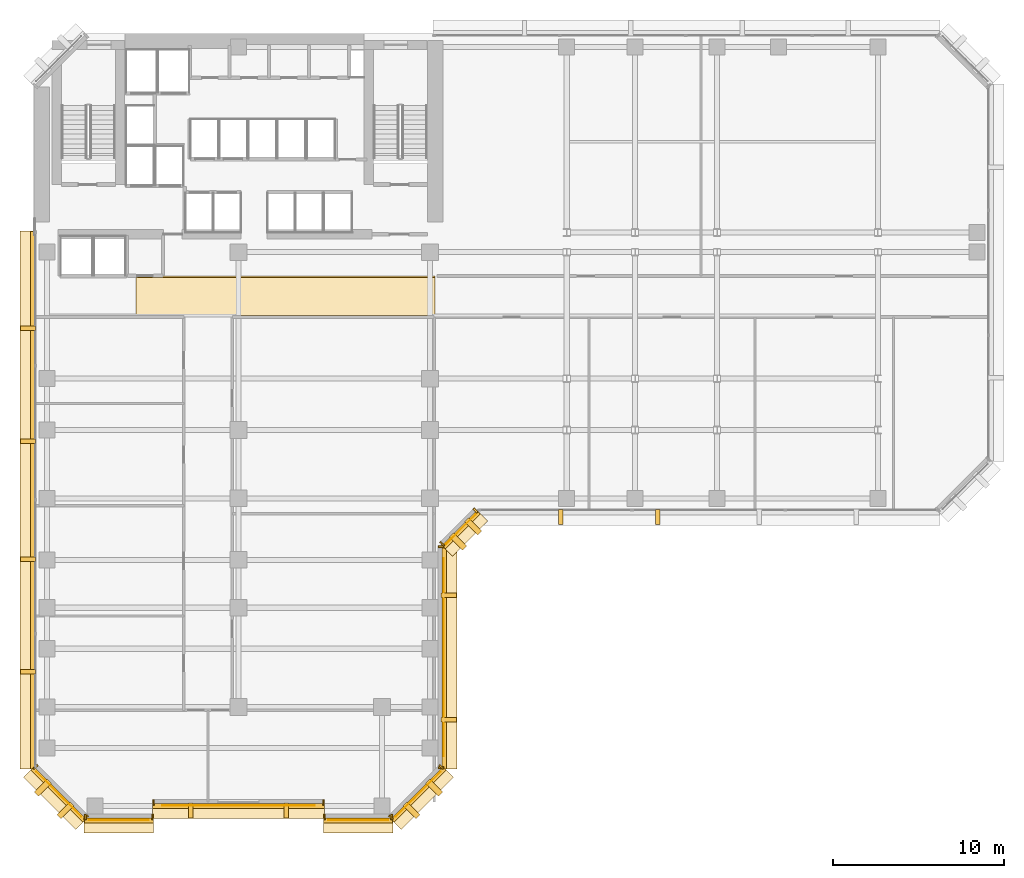
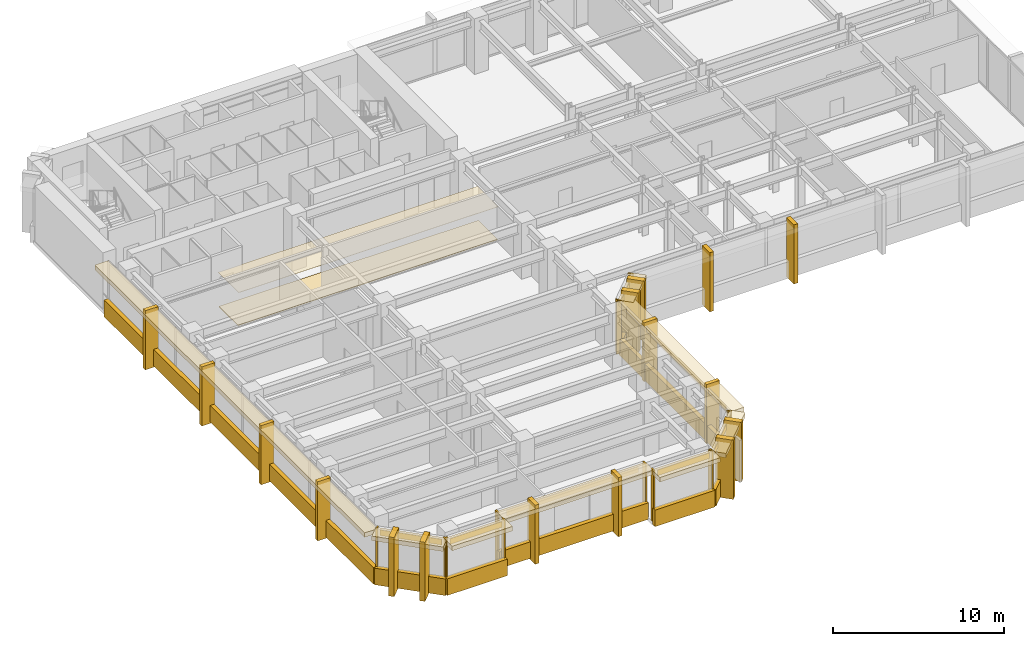
# One storey, part 9 of 13: 55 coverings.
"""IFC4 building model written with IfcOpenShell, lengths in metres."""

from ifc_helpers import new_model, si_unit, direction, frame, origin, origin_2d, place, context, subcontext, project, spatial, polyline, rectangle, outline, extrude, material, layer, layer_set, type_object, element, save


model = new_model("IFC4")

# Units and contexts
model_context = context("Model", 3, precision=1e-05, world=origin(), true_north=direction((0.0, 1.0)))
body_context = subcontext(model_context, "Body", "Model", "MODEL_VIEW")
ifc_project = project(units=[si_unit("LENGTHUNIT", "METRE"), si_unit("AREAUNIT", "SQUARE_METRE"), si_unit("VOLUMEUNIT", "CUBIC_METRE"), si_unit("PLANEANGLEUNIT", "RADIAN"), si_unit("MASSUNIT", "GRAM", prefix="KILO")], contexts=[model_context])

# Site, building, storey
site_placement = place(None, origin())
site = spatial("IfcSite", under=ifc_project, at=site_placement, CompositionType="ELEMENT")
building_placement = place(site_placement, origin())
building = spatial("IfcBuilding", under=site, at=building_placement, Name="Kefirva Bronze Tower", CompositionType="ELEMENT")
storey_placement = place(building_placement, frame((0.0, 0.0, 102.6298828125)))
storey = spatial("IfcBuildingStorey", under=building, at=storey_placement, Name="L24", CompositionType="ELEMENT", Elevation=102.6298828125)

# Coverings
ifc_material_1 = material(Name="Acoustic mineral tile")
ifc_layer_1 = layer(ifc_material_1, 0.02490234375, Name="Acoustic mineral tile")
ifc_layer_set_1 = layer_set([ifc_layer_1], Name="Acoustic mineral tile")
covering_type_1 = type_object("IfcCoveringType", Name="Acoustic Mineral Suspended Ceiling 25mm", PredefinedType="CEILING", material=ifc_layer_set_1)
covering_1_placement = place(storey_placement, frame((0.0, 0.0, 2.400146484375)))
element("IfcCovering", 1, at=covering_1_placement, inside=storey, type_object=covering_type_1, Name="L24 Corridor Acoustic Ceiling", PredefinedType="CEILING", context=body_context, shape_type="SweptSolid", body=[
    extrude(outline(polyline([(6.0, 29.39990234375), (23.5, 29.39990234375), (23.5, 31.800048828125), (6.0, 31.800048828125), (6.0, 29.39990234375)])), origin(), (0.0, 0.0, 1.0), 0.02490234375),
])
ifc_material_2 = material(Name="Bronze anodised aluminium", Category="aluminium")
ifc_layer_2 = layer(ifc_material_2, 0.02001953125, Name="Bronze anodised aluminium")
ifc_layer_set_2 = layer_set([ifc_layer_2], Name="Bronze anodised aluminium")
covering_type_2 = type_object("IfcCoveringType", Name="Anodised Bronze Spandrel Cladding 20mm", PredefinedType="CLADDING", material=ifc_layer_set_2)
covering_2_placement = place(storey_placement, frame((5.0, -0.010009765625, 3.290283203125), z_axis=(0.0, 0.0, 1.0), x_axis=(1.0, 0.0, 0.0)))
element("IfcCovering", 2, at=covering_2_placement, inside=storey, type_object=covering_type_2, Name="L24 Bronze Spandrel Cladding 1", PredefinedType="CLADDING", context=body_context, shape_type="SweptSolid", body=[
    extrude(rectangle(XDim=3.5009765625, YDim=0.02001953125, at=origin_2d()), origin(), (0.0, 0.0, 1.0), 0.39990234375),
])
for number, where, z_axis, x_axis, name in (
    (3, (3.034912109375, 0.159912109375, 0.000244140625), (0.0, 0.0, 1.0), (1.0, 0.0, 0.0), "L24 Facade Joint Closure Panel 1S"),
    (4, (6.965087890625, 0.159912109375, 0.000244140625), (0.0, 0.0, 1.0), (1.0, 0.0, 0.0), "L24 Facade Joint Closure Panel 1E"),
):
    element("IfcCovering", number, at=place(storey_placement, frame(where, z_axis=z_axis, x_axis=x_axis)), inside=storey, type_object=covering_type_2, Name=name, PredefinedType="CLADDING", context=body_context, shape_type="SweptSolid", body=[
        extrude(rectangle(XDim=0.10009765625, YDim=0.320068359375, at=origin_2d()), origin(), (0.0, 0.0, 1.0), 3.7099609375),
    ])
covering_3_placement = place(storey_placement, frame((5.0, -0.0400390625, -0.15966796875), z_axis=(0.0, 0.0, 1.0), x_axis=(1.0, 0.0, 0.0)))
element("IfcCovering", 5, at=covering_3_placement, inside=storey, type_object=covering_type_2, Name="L24 Streamline Horizontal Spandrel Band 0", PredefinedType="CLADDING", context=body_context, shape_type="SweptSolid", body=[
    extrude(rectangle(XDim=4.0400390625, YDim=0.280029296875, at=origin_2d()), origin(), (0.0, 0.0, 1.0), 1.179931640625),
])
covering_4_placement = place(storey_placement, frame((12.0, 0.840087890625, 3.290283203125), z_axis=(0.0, 0.0, 1.0), x_axis=(1.0, 0.0, 0.0)))
element("IfcCovering", 6, at=covering_4_placement, inside=storey, type_object=covering_type_2, Name="L24 Bronze Spandrel Cladding 2", PredefinedType="CLADDING", context=body_context, shape_type="SweptSolid", body=[
    extrude(rectangle(XDim=8.90087890625, YDim=0.02001953125, at=origin_2d()), origin(), (0.0, 0.0, 1.0), 0.39990234375),
])
for number, where, z_axis, x_axis, name in (
    (7, (7.034912109375, 1.010009765625, 0.000244140625), (0.0, 0.0, 1.0), (1.0, 0.0, 0.0), "L24 Facade Joint Closure Panel 2S"),
    (8, (16.965087890625, 1.010009765625, 0.000244140625), (0.0, 0.0, 1.0), (1.0, 0.0, 0.0), "L24 Facade Joint Closure Panel 2E"),
):
    element("IfcCovering", number, at=place(storey_placement, frame(where, z_axis=z_axis, x_axis=x_axis)), inside=storey, type_object=covering_type_2, Name=name, PredefinedType="CLADDING", context=body_context, shape_type="SweptSolid", body=[
        extrude(rectangle(XDim=0.10009765625, YDim=0.320068359375, at=origin_2d()), origin(), (0.0, 0.0, 1.0), 3.7099609375),
    ])
covering_5_placement = place(storey_placement, frame((12.0, 0.81005859375, -0.15966796875), z_axis=(0.0, 0.0, 1.0), x_axis=(1.0, 0.0, 0.0)))
element("IfcCovering", 9, at=covering_5_placement, inside=storey, type_object=covering_type_2, Name="L24 Streamline Horizontal Spandrel Band 2", PredefinedType="CLADDING", context=body_context, shape_type="SweptSolid", body=[
    extrude(rectangle(XDim=10.0400390625, YDim=0.280029296875, at=origin_2d()), origin(), (0.0, 0.0, 1.0), 1.179931640625),
])
covering_6_placement = place(storey_placement, frame((19.0, -0.010009765625, 3.290283203125), z_axis=(0.0, 0.0, 1.0), x_axis=(1.0, 0.0, 0.0)))
element("IfcCovering", 10, at=covering_6_placement, inside=storey, type_object=covering_type_2, Name="L24 Bronze Spandrel Cladding 3", PredefinedType="CLADDING", context=body_context, shape_type="SweptSolid", body=[
    extrude(rectangle(XDim=3.5009765625, YDim=0.02001953125, at=origin_2d()), origin(), (0.0, 0.0, 1.0), 0.39990234375),
])
for number, where, z_axis, x_axis, name in (
    (11, (17.034912109375, 0.159912109375, 0.000244140625), (0.0, 0.0, 1.0), (1.0, 0.0, 0.0), "L24 Facade Joint Closure Panel 3S"),
    (12, (20.965087890625, 0.159912109375, 0.000244140625), (0.0, 0.0, 1.0), (1.0, 0.0, 0.0), "L24 Facade Joint Closure Panel 3E"),
):
    element("IfcCovering", number, at=place(storey_placement, frame(where, z_axis=z_axis, x_axis=x_axis)), inside=storey, type_object=covering_type_2, Name=name, PredefinedType="CLADDING", context=body_context, shape_type="SweptSolid", body=[
        extrude(rectangle(XDim=0.10009765625, YDim=0.320068359375, at=origin_2d()), origin(), (0.0, 0.0, 1.0), 3.7099609375),
    ])
covering_7_placement = place(storey_placement, frame((19.0, -0.0400390625, -0.15966796875), z_axis=(0.0, 0.0, 1.0), x_axis=(1.0, 0.0, 0.0)))
element("IfcCovering", 13, at=covering_7_placement, inside=storey, type_object=covering_type_2, Name="L24 Streamline Horizontal Spandrel Band 4", PredefinedType="CLADDING", context=body_context, shape_type="SweptSolid", body=[
    extrude(rectangle(XDim=4.0400390625, YDim=0.280029296875, at=origin_2d()), origin(), (0.0, 0.0, 1.0), 1.179931640625),
])
covering_8_placement = place(storey_placement, frame((22.507080078125, 1.492919921875, 3.290283203125), z_axis=(0.0, 0.0, 1.0), x_axis=(0.707106781187, 0.707106781187, 0.0)))
element("IfcCovering", 14, at=covering_8_placement, inside=storey, type_object=covering_type_2, Name="L24 Bronze Spandrel Cladding 4", PredefinedType="CLADDING", context=body_context, shape_type="SweptSolid", body=[
    extrude(rectangle(XDim=3.719482421875, YDim=0.02001953125, at=origin_2d()), origin(), (0.0, 0.0, 1.0), 0.39990234375),
])
for number, where, z_axis, x_axis, name in (
    (15, (20.91162109375, 0.137939453125, 0.000244140625), (0.0, 0.0, 1.0), (0.707106781187, 0.707106781187, 0.0), "L24 Facade Joint Closure Panel 4S"),
    (16, (23.862060546875, 3.08837890625, 0.000244140625), (0.0, 0.0, 1.0), (0.707106781187, 0.707106781187, 0.0), "L24 Facade Joint Closure Panel 4E"),
):
    element("IfcCovering", number, at=place(storey_placement, frame(where, z_axis=z_axis, x_axis=x_axis)), inside=storey, type_object=covering_type_2, Name=name, PredefinedType="CLADDING", context=body_context, shape_type="SweptSolid", body=[
        extrude(rectangle(XDim=0.10009765625, YDim=0.320068359375, at=origin_2d()), origin(), (0.0, 0.0, 1.0), 3.7099609375),
    ])
covering_9_placement = place(storey_placement, frame((22.5283203125, 1.4716796875, -0.15966796875), z_axis=(0.0, 0.0, 1.0), x_axis=(0.707106781187, 0.707106781187, 0.0)))
element("IfcCovering", 17, at=covering_9_placement, inside=storey, type_object=covering_type_2, Name="L24 Streamline Horizontal Spandrel Band 5", PredefinedType="CLADDING", context=body_context, shape_type="SweptSolid", body=[
    extrude(rectangle(XDim=4.28271484375, YDim=0.280029296875, at=origin_2d()), origin(), (0.0, 0.0, 1.0), 1.179931640625),
])
covering_10_placement = place(storey_placement, frame((24.010009765625, 9.5, 3.290283203125), z_axis=(0.0, 0.0, 1.0), x_axis=(0.0, 1.0, 0.0)))
element("IfcCovering", 18, at=covering_10_placement, inside=storey, type_object=covering_type_2, Name="L24 Bronze Spandrel Cladding 5", PredefinedType="CLADDING", context=body_context, shape_type="SweptSolid", body=[
    extrude(rectangle(XDim=11.60107421875, YDim=0.02001953125, at=origin_2d()), origin(), (0.0, 0.0, 1.0), 0.39990234375),
])
for number, where, z_axis, x_axis, name in (
    (19, (23.840087890625, 3.034912109375, 0.000244140625), (0.0, 0.0, 1.0), (0.0, 1.0, 0.0), "L24 Facade Joint Closure Panel 5S"),
    (20, (23.840087890625, 15.965087890625, 0.000244140625), (0.0, 0.0, 1.0), (0.0, 1.0, 0.0), "L24 Facade Joint Closure Panel 5E"),
):
    element("IfcCovering", number, at=place(storey_placement, frame(where, z_axis=z_axis, x_axis=x_axis)), inside=storey, type_object=covering_type_2, Name=name, PredefinedType="CLADDING", context=body_context, shape_type="SweptSolid", body=[
        extrude(rectangle(XDim=0.10009765625, YDim=0.320068359375, at=origin_2d()), origin(), (0.0, 0.0, 1.0), 3.7099609375),
    ])
covering_11_placement = place(storey_placement, frame((24.0400390625, 9.5, -0.15966796875), z_axis=(0.0, 0.0, 1.0), x_axis=(0.0, 1.0, 0.0)))
element("IfcCovering", 21, at=covering_11_placement, inside=storey, type_object=covering_type_2, Name="L24 Streamline Horizontal Spandrel Band 6", PredefinedType="CLADDING", context=body_context, shape_type="SweptSolid", body=[
    extrude(rectangle(XDim=13.0400390625, YDim=0.280029296875, at=origin_2d()), origin(), (0.0, 0.0, 1.0), 1.179931640625),
])
covering_12_placement = place(storey_placement, frame((25.007080078125, 16.992919921875, 3.290283203125), z_axis=(0.0, 0.0, 1.0), x_axis=(0.707106781187, 0.707106781187, 0.0)))
element("IfcCovering", 22, at=covering_12_placement, inside=storey, type_object=covering_type_2, Name="L24 Bronze Spandrel Cladding 6", PredefinedType="CLADDING", context=body_context, shape_type="SweptSolid", body=[
    extrude(rectangle(XDim=2.446533203125, YDim=0.02001953125, at=origin_2d()), origin(), (0.0, 0.0, 1.0), 0.39990234375),
])
for number, where, z_axis, x_axis, name in (
    (23, (23.91162109375, 16.137939453125, 0.000244140625), (0.0, 0.0, 1.0), (0.707106781187, 0.707106781187, 0.0), "L24 Facade Joint Closure Panel 6S"),
    (24, (25.862060546875, 18.08837890625, 0.000244140625), (0.0, 0.0, 1.0), (0.707106781187, 0.707106781187, 0.0), "L24 Facade Joint Closure Panel 6E"),
):
    element("IfcCovering", number, at=place(storey_placement, frame(where, z_axis=z_axis, x_axis=x_axis)), inside=storey, type_object=covering_type_2, Name=name, PredefinedType="CLADDING", context=body_context, shape_type="SweptSolid", body=[
        extrude(rectangle(XDim=0.10009765625, YDim=0.320068359375, at=origin_2d()), origin(), (0.0, 0.0, 1.0), 3.7099609375),
    ])
covering_13_placement = place(storey_placement, frame((25.0283203125, 16.9716796875, -0.15966796875), z_axis=(0.0, 0.0, 1.0), x_axis=(0.707106781187, 0.707106781187, 0.0)))
element("IfcCovering", 25, at=covering_13_placement, inside=storey, type_object=covering_type_2, Name="L24 Streamline Horizontal Spandrel Band 7", PredefinedType="CLADDING", context=body_context, shape_type="SweptSolid", body=[
    extrude(rectangle(XDim=2.868408203125, YDim=0.280029296875, at=origin_2d()), origin(), (0.0, 0.0, 1.0), 1.179931640625),
])
covering_14_placement = place(storey_placement, frame((-0.0400390625, 18.697509765625, -0.15966796875), z_axis=(0.0, 0.0, 1.0), x_axis=(0.0, -1.0, 0.0)))
element("IfcCovering", 26, at=covering_14_placement, inside=storey, type_object=covering_type_2, Name="L24 Streamline Horizontal Spandrel Band 14", PredefinedType="CLADDING", context=body_context, shape_type="SweptSolid", body=[
    extrude(rectangle(XDim=31.43505859375, YDim=0.280029296875, at=origin_2d()), origin(), (0.0, 0.0, 1.0), 1.179931640625),
])
covering_15_placement = place(storey_placement, frame((1.492919921875, 1.492919921875, 3.290283203125), z_axis=(0.0, 0.0, 1.0), x_axis=(0.707106781187, -0.707106781187, 0.0)))
element("IfcCovering", 27, at=covering_15_placement, inside=storey, type_object=covering_type_2, Name="L24 Bronze Spandrel Cladding 10", PredefinedType="CLADDING", context=body_context, shape_type="SweptSolid", body=[
    extrude(rectangle(XDim=3.719482421875, YDim=0.02001953125, at=origin_2d()), origin(), (0.0, 0.0, 1.0), 0.39990234375),
])
for number, where, z_axis, x_axis, name in (
    (28, (0.137939453125, 3.08837890625, 0.000244140625), (0.0, 0.0, 1.0), (0.707106781187, -0.707106781187, 0.0), "L24 Facade Joint Closure Panel 10S"),
    (29, (3.08837890625, 0.137939453125, 0.000244140625), (0.0, 0.0, 1.0), (0.707106781187, -0.707106781187, 0.0), "L24 Facade Joint Closure Panel 10E"),
):
    element("IfcCovering", number, at=place(storey_placement, frame(where, z_axis=z_axis, x_axis=x_axis)), inside=storey, type_object=covering_type_2, Name=name, PredefinedType="CLADDING", context=body_context, shape_type="SweptSolid", body=[
        extrude(rectangle(XDim=0.10009765625, YDim=0.320068359375, at=origin_2d()), origin(), (0.0, 0.0, 1.0), 3.7099609375),
    ])
covering_16_placement = place(storey_placement, frame((1.4716796875, 1.4716796875, -0.15966796875), z_axis=(0.0, 0.0, 1.0), x_axis=(0.707106781187, -0.707106781187, 0.0)))
element("IfcCovering", 30, at=covering_16_placement, inside=storey, type_object=covering_type_2, Name="L24 Streamline Horizontal Spandrel Band 15", PredefinedType="CLADDING", context=body_context, shape_type="SweptSolid", body=[
    extrude(rectangle(XDim=4.28271484375, YDim=0.280029296875, at=origin_2d()), origin(), (0.0, 0.0, 1.0), 1.179931640625),
])
ifc_material_3 = material(Name="Calcium sulphate access tile")
ifc_layer_3 = layer(ifc_material_3, 0.044921875, Name="Calcium sulphate access tile")
ifc_layer_set_3 = layer_set([ifc_layer_3], Name="Calcium sulphate access tile")
covering_type_3 = type_object("IfcCoveringType", Name="Raised Access Office Flooring 45mm", PredefinedType="FLOORING", material=ifc_layer_set_3)
covering_17_placement = place(storey_placement, origin())
element("IfcCovering", 31, at=covering_17_placement, inside=storey, type_object=covering_type_3, Name="L24 Architectural Finish Flooring", PredefinedType="FLOORING", context=body_context, shape_type="SweptSolid", body=[
    extrude(outline(polyline([(6.0, 29.47998046875), (23.5, 29.47998046875), (23.5, 31.719970703125), (6.0, 31.719970703125), (6.0, 29.47998046875)])), origin(), (0.0, 0.0, 1.0), 0.045166015625),
])
ifc_layer_4 = layer(ifc_material_2, 0.179931640625, Name="Bronze anodised aluminium")
ifc_layer_set_4 = layer_set([ifc_layer_4], Name="Bronze anodised aluminium")
covering_type_4 = type_object("IfcCoveringType", Name="Streamline Bronze Sunshade Eyebrow Cladding 180mm", PredefinedType="CLADDING", material=ifc_layer_set_4)
covering_18_placement = place(storey_placement, frame((5.0, -0.31005859375, 3.39013671875), z_axis=(0.0, 0.0, 1.0), x_axis=(1.0, 0.0, 0.0)))
element("IfcCovering", 32, at=covering_18_placement, inside=storey, type_object=covering_type_4, Name="L24 Streamline Bronze Sunshade Eyebrow 0", PredefinedType="CLADDING", context=body_context, shape_type="SweptSolid", body=[
    extrude(rectangle(XDim=4.080078125, YDim=0.93994140625, at=origin_2d()), origin(), (0.0, 0.0, 1.0), 0.320068359375),
])
covering_19_placement = place(storey_placement, frame((12.0, 0.5400390625, 3.39013671875), z_axis=(0.0, 0.0, 1.0), x_axis=(1.0, 0.0, 0.0)))
element("IfcCovering", 33, at=covering_19_placement, inside=storey, type_object=covering_type_4, Name="L24 Streamline Bronze Sunshade Eyebrow 2", PredefinedType="CLADDING", context=body_context, shape_type="SweptSolid", body=[
    extrude(rectangle(XDim=10.080078125, YDim=0.93994140625, at=origin_2d()), origin(), (0.0, 0.0, 1.0), 0.320068359375),
])
covering_20_placement = place(storey_placement, frame((19.0, -0.31005859375, 3.39013671875), z_axis=(0.0, 0.0, 1.0), x_axis=(1.0, 0.0, 0.0)))
element("IfcCovering", 34, at=covering_20_placement, inside=storey, type_object=covering_type_4, Name="L24 Streamline Bronze Sunshade Eyebrow 4", PredefinedType="CLADDING", context=body_context, shape_type="SweptSolid", body=[
    extrude(rectangle(XDim=4.080078125, YDim=0.93994140625, at=origin_2d()), origin(), (0.0, 0.0, 1.0), 0.320068359375),
])
covering_21_placement = place(storey_placement, frame((22.71923828125, 1.28076171875, 3.39013671875), z_axis=(0.0, 0.0, 1.0), x_axis=(0.707106781187, 0.707106781187, 0.0)))
element("IfcCovering", 35, at=covering_21_placement, inside=storey, type_object=covering_type_4, Name="L24 Streamline Bronze Sunshade Eyebrow 5", PredefinedType="CLADDING", context=body_context, shape_type="SweptSolid", body=[
    extrude(rectangle(XDim=4.322509765625, YDim=0.93994140625, at=origin_2d()), origin(), (0.0, 0.0, 1.0), 0.320068359375),
])
covering_22_placement = place(storey_placement, frame((24.31005859375, 9.5, 3.39013671875), z_axis=(0.0, 0.0, 1.0), x_axis=(0.0, 1.0, 0.0)))
element("IfcCovering", 36, at=covering_22_placement, inside=storey, type_object=covering_type_4, Name="L24 Streamline Bronze Sunshade Eyebrow 6", PredefinedType="CLADDING", context=body_context, shape_type="SweptSolid", body=[
    extrude(rectangle(XDim=13.080078125, YDim=0.93994140625, at=origin_2d()), origin(), (0.0, 0.0, 1.0), 0.320068359375),
])
covering_23_placement = place(storey_placement, frame((25.21923828125, 16.78076171875, 3.39013671875), z_axis=(0.0, 0.0, 1.0), x_axis=(0.707106781187, 0.707106781187, 0.0)))
element("IfcCovering", 37, at=covering_23_placement, inside=storey, type_object=covering_type_4, Name="L24 Streamline Bronze Sunshade Eyebrow 7", PredefinedType="CLADDING", context=body_context, shape_type="SweptSolid", body=[
    extrude(rectangle(XDim=2.908447265625, YDim=0.93994140625, at=origin_2d()), origin(), (0.0, 0.0, 1.0), 0.320068359375),
])
covering_24_placement = place(storey_placement, frame((-0.31005859375, 18.697509765625, 3.39013671875), z_axis=(0.0, 0.0, 1.0), x_axis=(0.0, -1.0, 0.0)))
element("IfcCovering", 38, at=covering_24_placement, inside=storey, type_object=covering_type_4, Name="L24 Streamline Bronze Sunshade Eyebrow 14", PredefinedType="CLADDING", context=body_context, shape_type="SweptSolid", body=[
    extrude(rectangle(XDim=31.47509765625, YDim=0.93994140625, at=origin_2d()), origin(), (0.0, 0.0, 1.0), 0.320068359375),
])
covering_25_placement = place(storey_placement, frame((1.28076171875, 1.28076171875, 3.39013671875), z_axis=(0.0, 0.0, 1.0), x_axis=(0.707106781187, -0.707106781187, 0.0)))
element("IfcCovering", 39, at=covering_25_placement, inside=storey, type_object=covering_type_4, Name="L24 Streamline Bronze Sunshade Eyebrow 15", PredefinedType="CLADDING", context=body_context, shape_type="SweptSolid", body=[
    extrude(rectangle(XDim=4.322509765625, YDim=0.93994140625, at=origin_2d()), origin(), (0.0, 0.0, 1.0), 0.320068359375),
])
ifc_layer_5 = layer(ifc_material_2, 0.260009765625, Name="Bronze anodised aluminium")
ifc_layer_set_5 = layer_set([ifc_layer_5], Name="Bronze anodised aluminium")
covering_type_5 = type_object("IfcCoveringType", Name="Unbroken Bronze Buttress Fin Cladding 260mm", PredefinedType="CLADDING", material=ifc_layer_set_5)
for number, where, z_axis, x_axis, name in (
    (40, (9.199951171875, 0.550048828125, -0.249755859375), (0.0, 0.0, 1.0), (1.0, 0.0, 0.0), "L24 Unbroken Vertical Bronze Rib Fin 1"),
    (41, (14.800048828125, 0.550048828125, -0.249755859375), (0.0, 0.0, 1.0), (1.0, 0.0, 0.0), "L24 Unbroken Vertical Bronze Rib Fin 2"),
):
    element("IfcCovering", number, at=place(storey_placement, frame(where, z_axis=z_axis, x_axis=x_axis)), inside=storey, type_object=covering_type_5, Name=name, PredefinedType="CLADDING", context=body_context, shape_type="SweptSolid", body=[
        extrude(rectangle(XDim=0.260009765625, YDim=0.8798828125, at=origin_2d()), origin(), (0.0, 0.0, 1.0), 4.2099609375),
    ])
for number, where, z_axis, x_axis, name in (
    (42, (22.122802734375, 0.55712890625, -0.249755859375), (0.0, 0.0, 1.0), (0.707106781187, 0.707106781187, 0.0), "L24 Chamfered Corner Buttress Fin Cladding 3"),
    (43, (23.44287109375, 1.877197265625, -0.249755859375), (0.0, 0.0, 1.0), (0.707106781187, 0.707106781187, 0.0), "L24 Chamfered Corner Buttress Fin Cladding 4"),
):
    element("IfcCovering", number, at=place(storey_placement, frame(where, z_axis=z_axis, x_axis=x_axis)), inside=storey, type_object=covering_type_5, Name=name, PredefinedType="CLADDING", context=body_context, shape_type="SweptSolid", body=[
        extrude(rectangle(XDim=0.340087890625, YDim=1.080078125, at=origin_2d()), origin(), (0.0, 0.0, 1.0), 4.2099609375),
    ])
for number, where, z_axis, x_axis, name in (
    (44, (24.300048828125, 5.860107421875, -0.249755859375), (0.0, 0.0, 1.0), (0.0, 1.0, 0.0), "L24 Unbroken Vertical Bronze Rib Fin 5"),
    (45, (24.300048828125, 13.139892578125, -0.249755859375), (0.0, 0.0, 1.0), (0.0, 1.0, 0.0), "L24 Unbroken Vertical Bronze Rib Fin 6"),
):
    element("IfcCovering", number, at=place(storey_placement, frame(where, z_axis=z_axis, x_axis=x_axis)), inside=storey, type_object=covering_type_5, Name=name, PredefinedType="CLADDING", context=body_context, shape_type="SweptSolid", body=[
        extrude(rectangle(XDim=0.260009765625, YDim=0.8798828125, at=origin_2d()), origin(), (0.0, 0.0, 1.0), 4.2099609375),
    ])
for number, where, z_axis, x_axis, name in (
    (46, (24.8427734375, 16.277099609375, -0.249755859375), (0.0, 0.0, 1.0), (0.707106781187, 0.707106781187, 0.0), "L24 Chamfered Corner Buttress Fin Cladding 7"),
    (47, (25.722900390625, 17.1572265625, -0.249755859375), (0.0, 0.0, 1.0), (0.707106781187, 0.707106781187, 0.0), "L24 Chamfered Corner Buttress Fin Cladding 8"),
):
    element("IfcCovering", number, at=place(storey_placement, frame(where, z_axis=z_axis, x_axis=x_axis)), inside=storey, type_object=covering_type_5, Name=name, PredefinedType="CLADDING", context=body_context, shape_type="SweptSolid", body=[
        extrude(rectangle(XDim=0.340087890625, YDim=1.080078125, at=origin_2d()), origin(), (0.0, 0.0, 1.0), 4.2099609375),
    ])
for number, where, z_axis, x_axis, name in (
    (48, (30.860107421875, 17.699951171875, -0.249755859375), (0.0, 0.0, 1.0), (1.0, 0.0, 0.0), "L24 Unbroken Vertical Bronze Rib Fin 9"),
    (49, (36.530029296875, 17.699951171875, -0.249755859375), (0.0, 0.0, 1.0), (1.0, 0.0, 0.0), "L24 Unbroken Vertical Bronze Rib Fin 10"),
    (50, (-0.300048828125, 28.743896484375, -0.249755859375), (0.0, 0.0, 1.0), (0.0, -1.0, 0.0), "L24 Unbroken Vertical Bronze Rib Fin 25"),
    (51, (-0.300048828125, 22.15087890625, -0.249755859375), (0.0, 0.0, 1.0), (0.0, -1.0, 0.0), "L24 Unbroken Vertical Bronze Rib Fin 26"),
    (52, (-0.300048828125, 15.244140625, -0.249755859375), (0.0, 0.0, 1.0), (0.0, -1.0, 0.0), "L24 Unbroken Vertical Bronze Rib Fin 27"),
    (53, (-0.300048828125, 8.651123046875, -0.249755859375), (0.0, 0.0, 1.0), (0.0, -1.0, 0.0), "L24 Unbroken Vertical Bronze Rib Fin 28"),
):
    element("IfcCovering", number, at=place(storey_placement, frame(where, z_axis=z_axis, x_axis=x_axis)), inside=storey, type_object=covering_type_5, Name=name, PredefinedType="CLADDING", context=body_context, shape_type="SweptSolid", body=[
        extrude(rectangle(XDim=0.260009765625, YDim=0.8798828125, at=origin_2d()), origin(), (0.0, 0.0, 1.0), 4.2099609375),
    ])
for number, where, z_axis, x_axis, name in (
    (54, (0.55712890625, 1.877197265625, -0.249755859375), (0.0, 0.0, 1.0), (0.707106781187, -0.707106781187, 0.0), "L24 Chamfered Corner Buttress Fin Cladding 29"),
    (55, (1.877197265625, 0.55712890625, -0.249755859375), (0.0, 0.0, 1.0), (0.707106781187, -0.707106781187, 0.0), "L24 Chamfered Corner Buttress Fin Cladding 30"),
):
    element("IfcCovering", number, at=place(storey_placement, frame(where, z_axis=z_axis, x_axis=x_axis)), inside=storey, type_object=covering_type_5, Name=name, PredefinedType="CLADDING", context=body_context, shape_type="SweptSolid", body=[
        extrude(rectangle(XDim=0.340087890625, YDim=1.080078125, at=origin_2d()), origin(), (0.0, 0.0, 1.0), 4.2099609375),
    ])

save(model, "model.ifc")
